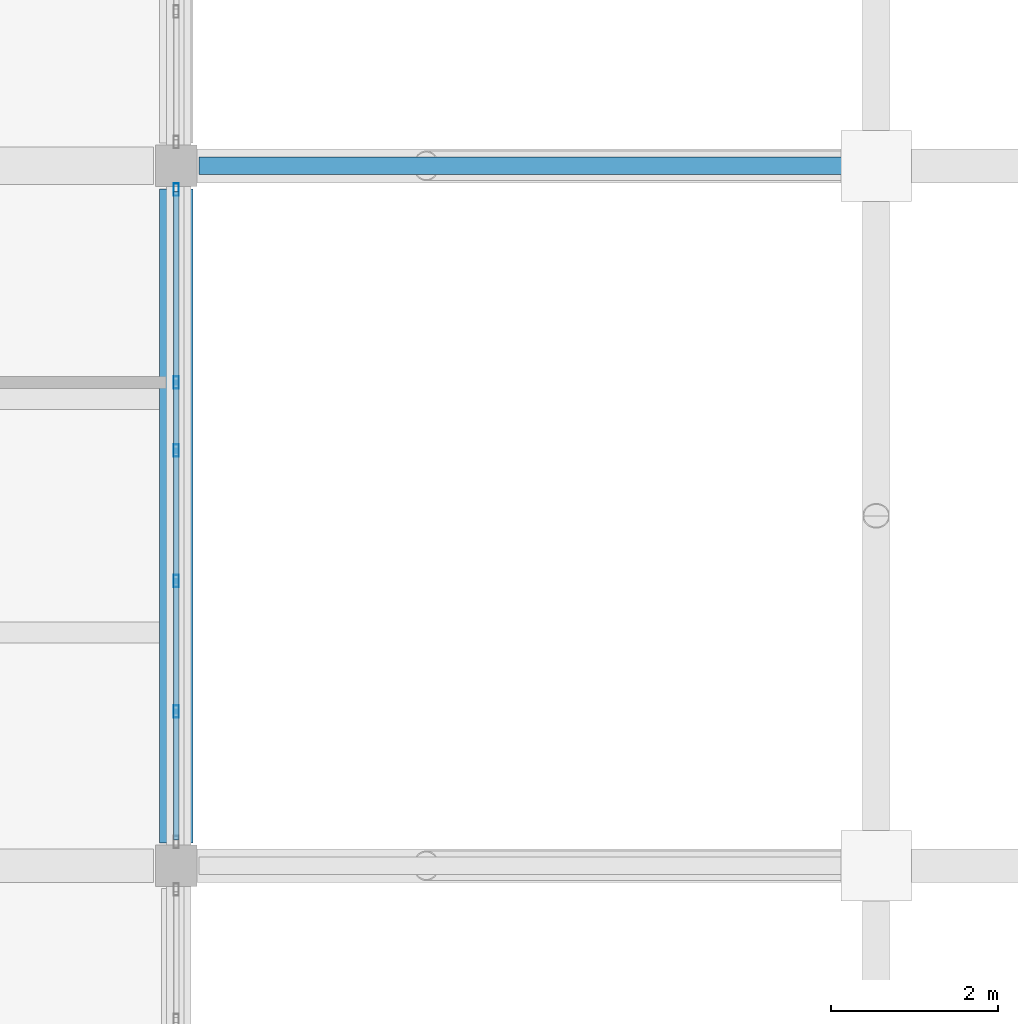
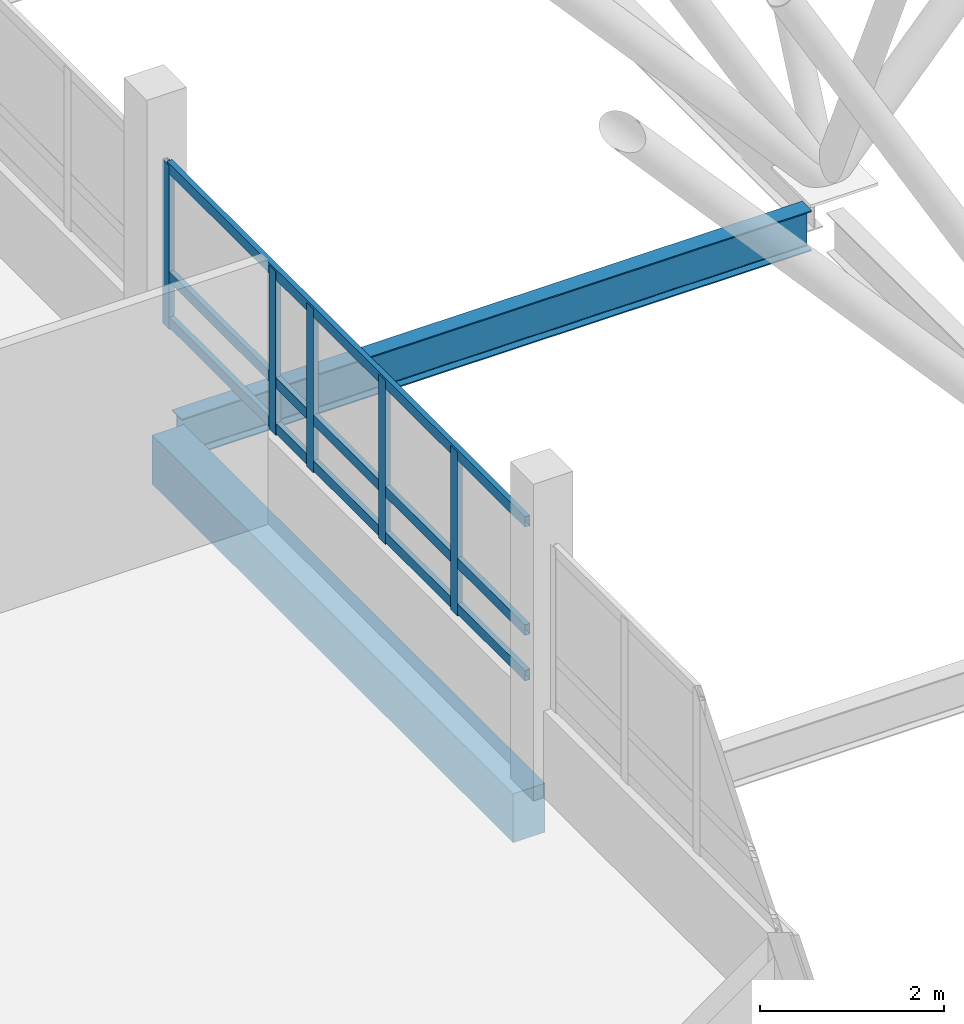
# One storey, part 26 of 107: 8 members, 2 beams, 1 element without a shape of its own.
"""IFC4 building model written with IfcOpenShell, lengths in metres."""

from ifc_helpers import new_model, si_unit, direction, frame, origin, origin_2d, place, context, subcontext, project, spatial, rectangle, hollow_rectangle, i_section, extrude, material, layer, layer_set, material_profile, profile_set, type_object, element, aggregate, save


model = new_model("IFC4")

# Units and contexts
model_context = context("Model", 3, precision=1e-05, world=origin(), true_north=direction((0.0, 1.0)))
body_context = subcontext(model_context, "Body", "Model", "MODEL_VIEW")
ifc_project = project(units=[si_unit("LENGTHUNIT", "METRE"), si_unit("AREAUNIT", "SQUARE_METRE"), si_unit("VOLUMEUNIT", "CUBIC_METRE"), si_unit("PLANEANGLEUNIT", "RADIAN"), si_unit("MASSUNIT", "GRAM", prefix="KILO")], contexts=[model_context])

# Site, building, storey
site_placement = place(None, origin())
site = spatial("IfcSite", under=ifc_project, at=site_placement, CompositionType="ELEMENT")
building_placement = place(site_placement, origin())
building = spatial("IfcBuilding", under=site, at=building_placement, Name="Vireocrest Preparatory School", CompositionType="ELEMENT")
storey_placement = place(building_placement, frame((0.0, 0.0, 13.199951171875)))
storey = spatial("IfcBuildingStorey", under=building, at=storey_placement, Name="L03", CompositionType="ELEMENT", Elevation=13.199951171875)

# Curtain wall, members
ifc_material_1 = material(Name="Thermally broken aluminium EN AW-6063-T6", Category="aluminium")
ifc_layer = layer(ifc_material_1, 0.179931640625)
ifc_layer_set = layer_set([ifc_layer], Name="Thermally broken aluminium EN AW-6063-T6")
curtain_wall_type = type_object("IfcCurtainWallType", Name="Court Banded Curtain Wall 8400x3000", PredefinedType="USERDEFINED", material=ifc_layer_set)
curtain_wall_placement = place(storey_placement, origin())
curtain_wall = element("IfcCurtainWall", 1, at=curtain_wall_placement, inside=storey, type_object=curtain_wall_type, Name="Curtain Wall CW02 CW_L03_CW02_0672_0692_144", ObjectType="CURTAIN WALL", PredefinedType="USERDEFINED")
ifc_material_profile_1 = material_profile(ifc_material_1, hollow_rectangle(XDim=0.06494140625, YDim=0.14990234375, WallThickness=0.00390625, at=origin_2d()), Name="ALU 65x150x4")
ifc_profile_set_1 = profile_set([ifc_material_profile_1], Name="Thermally broken aluminium EN AW-6063-T6")
member_type_1 = type_object("IfcMemberType", Name="CW Mullion 65x150x4", PredefinedType="MULLION", material=ifc_profile_set_1)
member_1_placement = place(storey_placement, frame((67.199951171875, 70.85107421875, 1.150146484375), z_axis=(0.0, 0.0, 1.0), x_axis=(1.0, 0.0, 0.0)))
member_1 = element("IfcMember", 2, at=member_1_placement, type_object=member_type_1, Name="CW Mullion ML1 CW_L03_CW02_0672_0692_144-2", PredefinedType="MULLION", context=body_context, shape_type="SweptSolid", body=[
    extrude(hollow_rectangle(XDim=0.06494140625, YDim=0.14990234375, WallThickness=0.00390625, at=origin_2d()), origin(), (0.0, 0.0, 1.0), 2.1748046875),
])
member_2_placement = place(storey_placement, frame((67.199951171875, 72.4169921875, 1.150146484375), z_axis=(0.0, 0.0, 1.0), x_axis=(1.0, 0.0, 0.0)))
member_2 = element("IfcMember", 3, at=member_2_placement, type_object=member_type_1, Name="CW Mullion ML1 CW_L03_CW02_0672_0692_144-3", PredefinedType="MULLION", context=body_context, shape_type="SweptSolid", body=[
    extrude(hollow_rectangle(XDim=0.06494140625, YDim=0.14990234375, WallThickness=0.00390625, at=origin_2d()), origin(), (0.0, 0.0, 1.0), 2.1748046875),
])
member_3_placement = place(storey_placement, frame((67.199951171875, 73.98291015625, 1.150146484375), z_axis=(0.0, 0.0, 1.0), x_axis=(1.0, 0.0, 0.0)))
member_3 = element("IfcMember", 4, at=member_3_placement, type_object=member_type_1, Name="CW Mullion ML1 CW_L03_CW02_0672_0692_144-4", PredefinedType="MULLION", context=body_context, shape_type="SweptSolid", body=[
    extrude(hollow_rectangle(XDim=0.06494140625, YDim=0.14990234375, WallThickness=0.00390625, at=origin_2d()), origin(), (0.0, 0.0, 1.0), 2.1748046875),
])
member_4_placement = place(storey_placement, frame((67.199951171875, 74.800048828125, 1.150146484375), z_axis=(0.0, 0.0, 1.0), x_axis=(1.0, 0.0, 0.0)))
member_4 = element("IfcMember", 5, at=member_4_placement, type_object=member_type_1, Name="CW Mullion ML1 CW_L03_CW02_0672_0692_144-5", PredefinedType="MULLION", context=body_context, shape_type="SweptSolid", body=[
    extrude(hollow_rectangle(XDim=0.06494140625, YDim=0.14990234375, WallThickness=0.00390625, at=origin_2d()), origin(), (0.0, 0.0, 1.0), 2.1748046875),
])
member_5_placement = place(storey_placement, frame((67.199951171875, 77.114990234375, 1.150146484375), z_axis=(0.0, 0.0, 1.0), x_axis=(1.0, 0.0, 0.0)))
member_5 = element("IfcMember", 6, at=member_5_placement, type_object=member_type_1, Name="CW Mullion ML1 CW_L03_CW02_0672_0692_144-6", PredefinedType="MULLION", context=body_context, shape_type="SweptSolid", body=[
    extrude(hollow_rectangle(XDim=0.06494140625, YDim=0.14990234375, WallThickness=0.00390625, at=origin_2d()), origin(), (0.0, 0.0, 1.0), 2.1748046875),
])
ifc_material_profile_2 = material_profile(ifc_material_1, hollow_rectangle(XDim=0.06494140625, YDim=0.139892578125, WallThickness=0.00390625, at=origin_2d()), Name="ALU 65x140x4")
ifc_profile_set_2 = profile_set([ifc_material_profile_2], Name="Thermally broken aluminium EN AW-6063-T6")
member_type_2 = type_object("IfcMemberType", Name="CW Transom 65x140x4", PredefinedType="USERDEFINED", material=ifc_profile_set_2)
member_6_placement = place(storey_placement, frame((67.199951171875, 69.31005859375, 1.2451171875), z_axis=(0.0, 1.0, 0.0), x_axis=(-1.0, 0.0, 0.0)))
member_6 = element("IfcMember", 7, at=member_6_placement, type_object=member_type_2, Name="CW Transom TR1 CW_L03_CW02_0672_0692_144-1", ObjectType="TRANSOM", PredefinedType="USERDEFINED", context=body_context, shape_type="SweptSolid", body=[
    extrude(hollow_rectangle(XDim=0.06494140625, YDim=0.139892578125, WallThickness=0.00390625, at=origin_2d()), origin(), (0.0, 0.0, 1.0), 7.780029296875),
])
member_7_placement = place(storey_placement, frame((67.199951171875, 69.31005859375, 1.85009765625), z_axis=(0.0, 1.0, 0.0), x_axis=(-1.0, 0.0, 0.0)))
member_7 = element("IfcMember", 8, at=member_7_placement, type_object=member_type_2, Name="CW Transom TR1 CW_L03_CW02_0672_0692_144-2", ObjectType="TRANSOM", PredefinedType="USERDEFINED", context=body_context, shape_type="SweptSolid", body=[
    extrude(hollow_rectangle(XDim=0.06494140625, YDim=0.139892578125, WallThickness=0.00390625, at=origin_2d()), origin(), (0.0, 0.0, 1.0), 7.780029296875),
])
member_8_placement = place(storey_placement, frame((67.199951171875, 69.31005859375, 3.28515625), z_axis=(0.0, 1.0, 0.0), x_axis=(-1.0, 0.0, 0.0)))
member_8 = element("IfcMember", 9, at=member_8_placement, type_object=member_type_2, Name="CW Transom TR1 CW_L03_CW02_0672_0692_144-3", ObjectType="TRANSOM", PredefinedType="USERDEFINED", context=body_context, shape_type="SweptSolid", body=[
    extrude(hollow_rectangle(XDim=0.06494140625, YDim=0.139892578125, WallThickness=0.00390625, at=origin_2d()), origin(), (0.0, 0.0, 1.0), 7.780029296875),
])
aggregate(curtain_wall, [member_1, member_2, member_3, member_4, member_5, member_6, member_7, member_8])

# Beams
ifc_material_2 = material(Name="Structural steel ASTM A992 Grade 50", Category="steel")
ifc_material_profile_3 = material_profile(ifc_material_2, i_section(OverallWidth=0.208984375, OverallDepth=0.532958984375, WebThickness=0.01025390625, FlangeThickness=0.015625, FilletRadius=0.014892578125, at=origin_2d()), Name="W21X62")
ifc_profile_set_3 = profile_set([ifc_material_profile_3], Name="Structural steel ASTM A992 Grade 50")
beam_type_1 = type_object("IfcBeamType", Name="Court Tie Girder W21X62", PredefinedType="BEAM", material=ifc_profile_set_3)
beam_1_placement = place(storey_placement, frame((67.469970703125, 77.39990234375, -0.56640625), z_axis=(1.0, 0.0, 0.0), x_axis=(0.0, 1.0, 0.0)))
element("IfcBeam", 10, at=beam_1_placement, inside=storey, type_object=beam_type_1, Name="Court Trunk Lateral Tie Girder SB5 W7 L03", PredefinedType="BEAM", context=body_context, shape_type="SweptSolid", body=[
    extrude(i_section(OverallWidth=0.208984375, OverallDepth=0.532958984375, WebThickness=0.01025390625, FlangeThickness=0.015625, FilletRadius=0.014892578125, at=origin_2d()), origin(), (0.0, 0.0, 1.0), 7.906494140625),
])
ifc_material_3 = material(Name="Concrete 40 MPa", Category="concrete")
ifc_material_profile_4 = material_profile(ifc_material_3, rectangle(XDim=0.39990234375, YDim=0.64990234375, at=origin_2d()), Name="RC 400x650")
ifc_profile_set_4 = profile_set([ifc_material_profile_4], Name="Concrete 40 MPa")
beam_type_2 = type_object("IfcBeamType", Name="RC Laboratory Girder 400x650", PredefinedType="BEAM", material=ifc_profile_set_4)
beam_2_placement = place(storey_placement, frame((67.199951171875, 69.27490234375, -0.56494140625), z_axis=(0.0, 1.0, 0.0), x_axis=(-1.0, 0.0, 0.0)))
element("IfcBeam", 11, at=beam_2_placement, inside=storey, type_object=beam_type_2, Name="Primary Girder B07 L03-1134", PredefinedType="BEAM", context=body_context, shape_type="SweptSolid", body=[
    extrude(rectangle(XDim=0.39990234375, YDim=0.64990234375, at=origin_2d()), origin(), (0.0, 0.0, 1.0), 7.85009765625),
])

save(model, "model.ifc")
